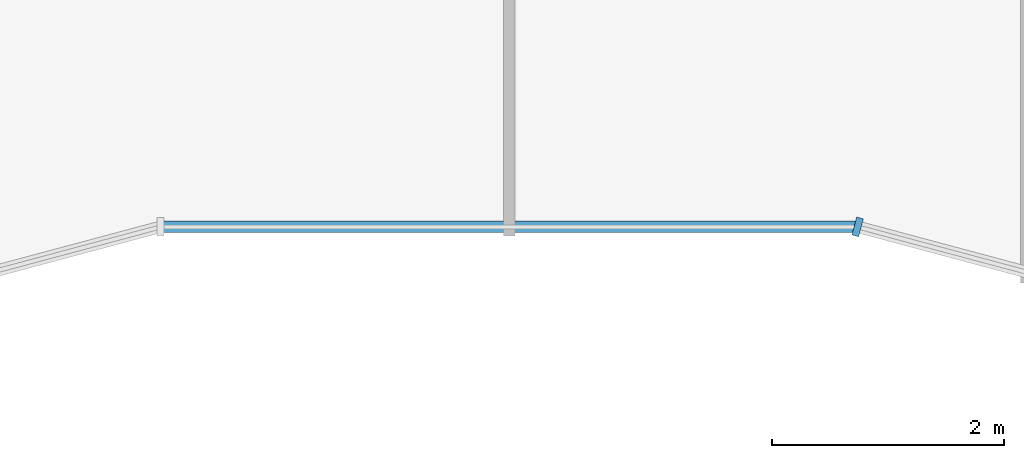
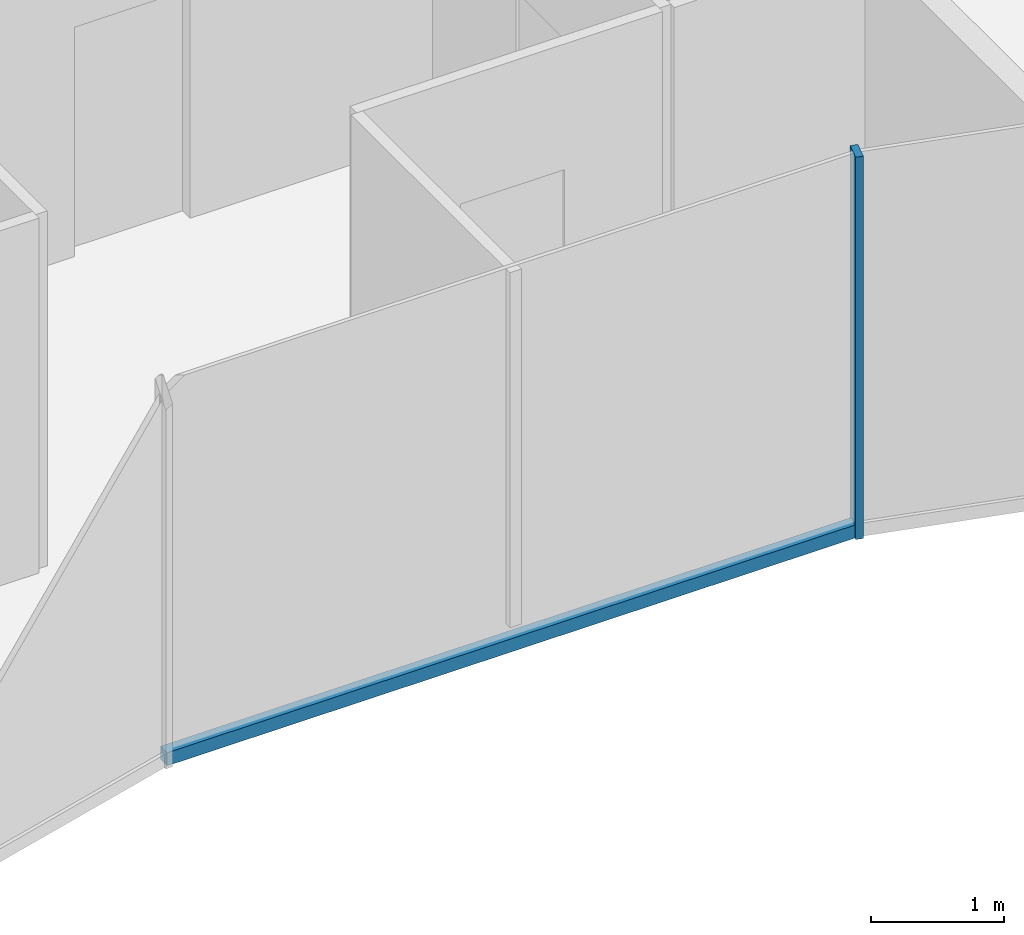
# One storey, part 3 of 16: 2 members, 2 elements without a shape of their own.
"""IFC4 building model written with IfcOpenShell, lengths in metres."""

from ifc_helpers import new_model, si_unit, direction, frame, origin, origin_2d, place, context, subcontext, project, spatial, rectangle, extrude, material, layer, layer_set, material_profile, profile_set, type_object, element, aggregate, save


model = new_model("IFC4")

# Units and contexts
model_context = context("Model", 3, precision=1e-05, world=origin(), true_north=direction((0.0, 1.0)))
body_context = subcontext(model_context, "Body", "Model", "MODEL_VIEW")
ifc_project = project(units=[si_unit("LENGTHUNIT", "METRE"), si_unit("AREAUNIT", "SQUARE_METRE"), si_unit("VOLUMEUNIT", "CUBIC_METRE"), si_unit("PLANEANGLEUNIT", "RADIAN"), si_unit("MASSUNIT", "GRAM", prefix="KILO")], contexts=[model_context])

# Site, building, storey
site_placement = place(None, origin())
site = spatial("IfcSite", under=ifc_project, at=site_placement, CompositionType="ELEMENT")
building_placement = place(site_placement, origin())
building = spatial("IfcBuilding", under=site, at=building_placement, Name="Plateau Cross Towers", CompositionType="ELEMENT")
storey_placement = place(building_placement, frame((0.0, 0.0, 215.39990234375)))
storey = spatial("IfcBuildingStorey", under=building, at=storey_placement, Name="L56", CompositionType="ELEMENT", Elevation=215.39990234375)

# Curtain wall, member
ifc_material_1 = material(Name="Dark low-iron glass", Category="glass")
ifc_layer = layer(ifc_material_1, 0.260009765625)
ifc_layer_set = layer_set([ifc_layer], Name="Dark low-iron glass")
curtain_wall_type = type_object("IfcCurtainWallType", Name="Curtain wall fluted unitised CW-A", PredefinedType="NOTDEFINED", material=ifc_layer_set)
curtain_wall_1_placement = place(storey_placement, origin())
curtain_wall_1 = element("IfcCurtainWall", 1, at=curtain_wall_1_placement, inside=storey, type_object=curtain_wall_type, Name="ENV/A/L56/A300_16", PredefinedType="NOTDEFINED")
ifc_material_2 = material(Name="Black anodised aluminium", Category="aluminium")
ifc_material_profile_1 = material_profile(ifc_material_2, rectangle(XDim=0.06005859375, YDim=0.159912109375, at=origin_2d()), Name="MULLION 60x160")
ifc_profile_set_1 = profile_set([ifc_material_profile_1], Name="Black anodised aluminium")
member_type_1 = type_object("IfcMemberType", Name="Mullion 60x160 fluted unitised", PredefinedType="MULLION", material=ifc_profile_set_1)
member_1_placement = place(storey_placement, frame((30.0, 1.60693359375, -0.25), z_axis=(0.0, 0.0, 1.0), x_axis=(0.965957983404, -0.258699003279, 0.0)))
member_1 = element("IfcMember", 2, at=member_1_placement, type_object=member_type_1, Name="CW-A mullion 1", PredefinedType="MULLION", context=body_context, shape_type="SweptSolid", body=[
    extrude(rectangle(XDim=0.06005859375, YDim=0.159912109375, at=origin_2d()), origin(), (0.0, 0.0, 1.0), 3.5),
])
aggregate(curtain_wall_1, [member_1])

curtain_wall_2_placement = place(storey_placement, origin())
curtain_wall_2 = element("IfcCurtainWall", 3, at=curtain_wall_2_placement, inside=storey, type_object=curtain_wall_type, Name="ENV/A/L56/A240_16", PredefinedType="NOTDEFINED")
ifc_material_profile_2 = material_profile(ifc_material_2, rectangle(XDim=0.10009765625, YDim=0.1201171875, at=origin_2d()), Name="TRANSOM 100x120")
ifc_profile_set_2 = profile_set([ifc_material_profile_2], Name="Black anodised aluminium")
member_type_2 = type_object("IfcMemberType", Name="Transom 100x120 fluted unitised", PredefinedType="USERDEFINED", material=ifc_profile_set_2)
member_2_placement = place(storey_placement, frame((24.0, 1.60693359375, -0.18994140625), z_axis=(1.0, 0.0, 0.0), x_axis=(0.0, 1.0, 0.0)))
member_2 = element("IfcMember", 4, at=member_2_placement, type_object=member_type_2, Name="CW-A transom", ObjectType="TRANSOM", PredefinedType="USERDEFINED", context=body_context, shape_type="SweptSolid", body=[
    extrude(rectangle(XDim=0.10009765625, YDim=0.1201171875, at=origin_2d()), origin(), (0.0, 0.0, 1.0), 6.0),
])
aggregate(curtain_wall_2, [member_2])

save(model, "model.ifc")
